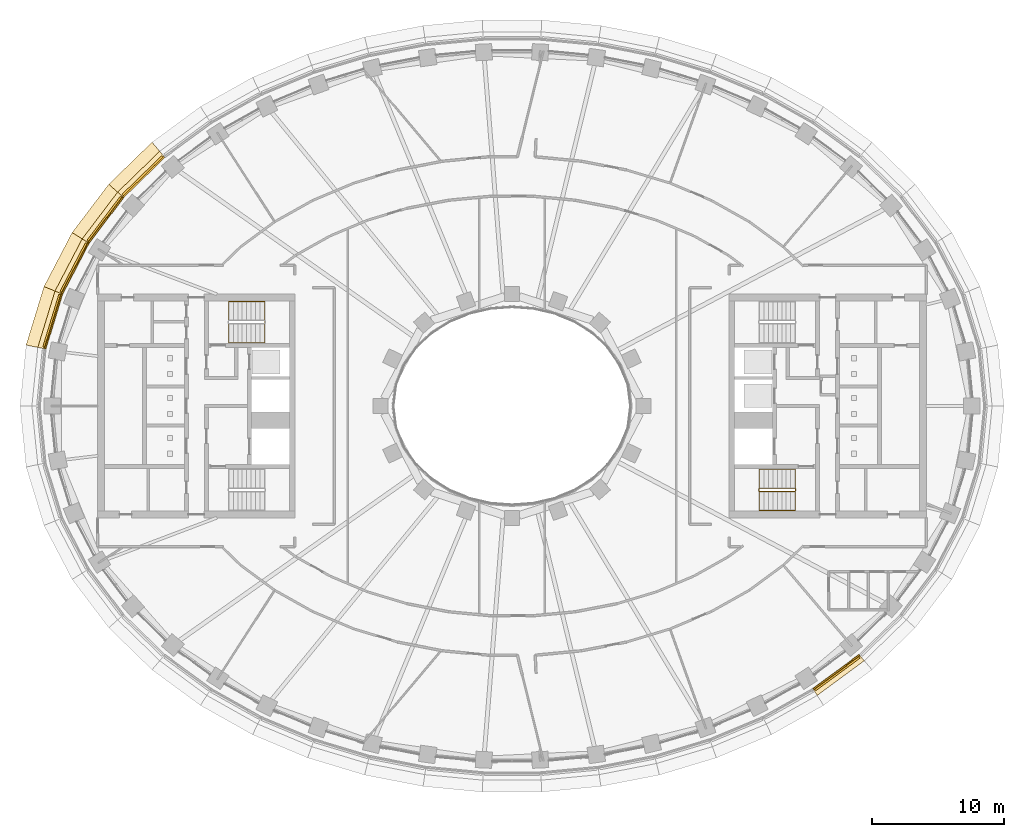
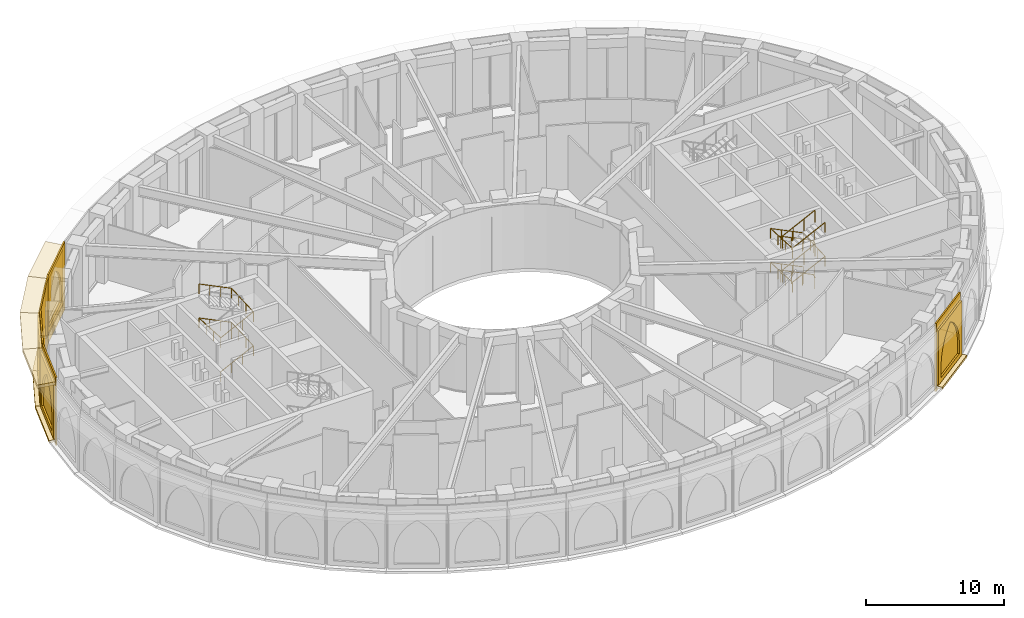
# One storey, part 19 of 23: 19 coverings, 3 railings.
"""IFC4 building model written with IfcOpenShell, lengths in metres."""

from ifc_helpers import new_model, si_unit, direction, frame, origin, origin_2d, place, context, subcontext, project, spatial, polyline, rectangle, outline, extrude, material, layer, layer_set, type_object, element, save


model = new_model("IFC4")

# Units and contexts
model_context = context("Model", 3, precision=1e-05, world=origin(), true_north=direction((0.0, 1.0)))
body_context = subcontext(model_context, "Body", "Model", "MODEL_VIEW")
ifc_project = project(units=[si_unit("LENGTHUNIT", "METRE"), si_unit("AREAUNIT", "SQUARE_METRE"), si_unit("VOLUMEUNIT", "CUBIC_METRE"), si_unit("PLANEANGLEUNIT", "RADIAN"), si_unit("MASSUNIT", "GRAM", prefix="KILO")], contexts=[model_context])

# Site, building, storey
site_placement = place(None, origin())
site = spatial("IfcSite", under=ifc_project, at=site_placement, CompositionType="ELEMENT")
building_placement = place(site_placement, origin())
building = spatial("IfcBuilding", under=site, at=building_placement, Name="Noorbagh Ring Tower", CompositionType="ELEMENT")
storey_placement = place(building_placement, frame((0.0, 0.0, 140.0)))
storey = spatial("IfcBuildingStorey", under=building, at=storey_placement, Name="L32", CompositionType="ELEMENT", Elevation=140.0)

# Railings
ifc_material_1 = material(Name="Stainless steel", Category="steel")
railing_type_1 = type_object("IfcRailingType", Name="CORE-STAIR-GUARD", PredefinedType="GUARDRAIL", material=ifc_material_1)
railing_1_placement = place(storey_placement, frame((21.580078125, -6.300048828125, 0.0)))
element("IfcRailing", 1, at=railing_1_placement, inside=storey, type_object=railing_type_1, Name="L32 ST4 stair guard", PredefinedType="GUARDRAIL", context=body_context, shape_type="SweptSolid", body=[
    extrude(rectangle(XDim=0.048095703125, YDim=0.048095703125, at=origin_2d()), frame((0.0, 0.0, 1.076171875), z_axis=(0.0, -1.0, 0.0), x_axis=(1.0, 0.0, 0.0)), (0.0, 0.0, 1.0), 0.14990234375),
    extrude(rectangle(XDim=0.048095703125, YDim=0.048095703125, at=origin_2d()), frame((0.0, -0.14990234375, 1.076171875), z_axis=(-0.188775798145, 0.754182335027, 0.628945707965), x_axis=(-0.970072785993, -0.242814311512, 0.0)), (0.0, 0.0, 1.0), 0.26513671875),
    extrude(rectangle(XDim=0.048095703125, YDim=0.048095703125, at=origin_2d()), frame((-0.050048828125, 0.050048828125, 1.24267578125), z_axis=(-0.897929466783, 0.0, 0.4401393787), x_axis=(0.0, -1.0, 0.0)), (0.0, 0.0, 1.0), 3.029052734375),
    extrude(rectangle(XDim=0.048095703125, YDim=0.048095703125, at=origin_2d()), frame((-2.77001953125, 0.050048828125, 2.576171875), z_axis=(-0.707106781187, -0.707106781187, 0.0), x_axis=(0.707106781187, -0.707106781187, 0.0)), (0.0, 0.0, 1.0), 0.07080078125),
    extrude(rectangle(XDim=0.048095703125, YDim=0.048095703125, at=origin_2d()), frame((-2.820068359375, 0.0, 2.576171875), z_axis=(0.0, -1.0, 0.0), x_axis=(1.0, 0.0, 0.0)), (0.0, 0.0, 1.0), 0.14990234375),
    extrude(rectangle(XDim=0.048095703125, YDim=0.048095703125, at=origin_2d()), frame((-2.820068359375, -0.14990234375, 2.576171875), z_axis=(0.27628659633, -0.27628659633, 0.920506074601), x_axis=(0.707106781187, 0.707106781187, 0.0)), (0.0, 0.0, 1.0), 0.18115234375),
    extrude(rectangle(XDim=0.048095703125, YDim=0.048095703125, at=origin_2d()), frame((-2.77001953125, -0.199951171875, 2.74267578125), z_axis=(0.897929466783, 0.0, 0.4401393787), x_axis=(0.0, 1.0, 0.0)), (0.0, 0.0, 1.0), 3.029052734375),
    extrude(rectangle(XDim=0.048095703125, YDim=0.048095703125, at=origin_2d()), frame((-0.050048828125, -0.199951171875, 4.076171875), z_axis=(0.242814311512, 0.970072785993, 0.0), x_axis=(-0.970072785993, 0.242814311512, 0.0)), (0.0, 0.0, 1.0), 0.2060546875),
    extrude(rectangle(XDim=0.048095703125, YDim=0.048095703125, at=origin_2d()), frame((0.0, 0.0, 4.076171875), z_axis=(0.0, -1.0, 0.0), x_axis=(1.0, 0.0, 0.0)), (0.0, 0.0, 1.0), 0.14990234375),
    extrude(rectangle(XDim=0.048095703125, YDim=0.048095703125, at=origin_2d()), frame((0.0, -0.14990234375, 4.076171875), z_axis=(-0.188775798145, 0.754182335027, 0.628945707965), x_axis=(-0.970072785993, -0.242814311512, 0.0)), (0.0, 0.0, 1.0), 0.26513671875),
    extrude(rectangle(XDim=0.048095703125, YDim=0.048095703125, at=origin_2d()), frame((-0.050048828125, 0.050048828125, 4.24267578125), z_axis=(-0.897929466783, 0.0, 0.4401393787), x_axis=(0.0, -1.0, 0.0)), (0.0, 0.0, 1.0), 3.029052734375),
    extrude(rectangle(XDim=0.048095703125, YDim=0.048095703125, at=origin_2d()), frame((-2.77001953125, 0.050048828125, 5.576171875), z_axis=(-0.707106781187, -0.707106781187, 0.0), x_axis=(0.707106781187, -0.707106781187, 0.0)), (0.0, 0.0, 1.0), 0.07080078125),
    extrude(rectangle(XDim=0.048095703125, YDim=0.048095703125, at=origin_2d()), frame((-2.820068359375, 0.0, 5.576171875), z_axis=(0.0, -1.0, 0.0), x_axis=(1.0, 0.0, 0.0)), (0.0, 0.0, 1.0), 0.14990234375),
    extrude(rectangle(XDim=0.048095703125, YDim=0.048095703125, at=origin_2d()), frame((-2.820068359375, -0.14990234375, 5.576171875), z_axis=(0.27628659633, -0.27628659633, 0.920506074601), x_axis=(0.707106781187, 0.707106781187, 0.0)), (0.0, 0.0, 1.0), 0.18115234375),
    extrude(rectangle(XDim=0.048095703125, YDim=0.048095703125, at=origin_2d()), frame((-2.77001953125, -0.199951171875, 5.74267578125), z_axis=(0.897929466783, 0.0, 0.4401393787), x_axis=(0.0, 1.0, 0.0)), (0.0, 0.0, 1.0), 3.029052734375),
    extrude(rectangle(XDim=0.0419921875, YDim=0.0419921875, at=origin_2d()), origin(), (0.0, 0.0, 1.0), 1.052001953125),
    extrude(rectangle(XDim=0.0419921875, YDim=0.0419921875, at=origin_2d()), frame((-0.956787109375, 0.050048828125, 0.611083984375)), (0.0, 0.0, 1.0), 1.052001953125),
    extrude(rectangle(XDim=0.0419921875, YDim=0.0419921875, at=origin_2d()), frame((-1.86328125, 0.050048828125, 1.0556640625)), (0.0, 0.0, 1.0), 1.052001953125),
    extrude(rectangle(XDim=0.0419921875, YDim=0.0419921875, at=origin_2d()), frame((-2.77001953125, 0.050048828125, 1.5)), (0.0, 0.0, 1.0), 1.052001953125),
    extrude(rectangle(XDim=0.0419921875, YDim=0.0419921875, at=origin_2d()), frame((-2.77001953125, -0.199951171875, 1.666748046875)), (0.0, 0.0, 1.0), 1.052001953125),
    extrude(rectangle(XDim=0.0419921875, YDim=0.0419921875, at=origin_2d()), frame((-1.86328125, -0.199951171875, 2.111083984375)), (0.0, 0.0, 1.0), 1.052001953125),
    extrude(rectangle(XDim=0.0419921875, YDim=0.0419921875, at=origin_2d()), frame((-0.956787109375, -0.199951171875, 2.5556640625)), (0.0, 0.0, 1.0), 1.052001953125),
    extrude(rectangle(XDim=0.0419921875, YDim=0.0419921875, at=origin_2d()), frame((-0.050048828125, -0.199951171875, 3.0)), (0.0, 0.0, 1.0), 1.052001953125),
    extrude(rectangle(XDim=0.0419921875, YDim=0.0419921875, at=origin_2d()), frame((-0.050048828125, 0.050048828125, 3.166748046875)), (0.0, 0.0, 1.0), 1.052001953125),
    extrude(rectangle(XDim=0.0419921875, YDim=0.0419921875, at=origin_2d()), frame((-0.956787109375, 0.050048828125, 3.611083984375)), (0.0, 0.0, 1.0), 1.052001953125),
    extrude(rectangle(XDim=0.0419921875, YDim=0.0419921875, at=origin_2d()), frame((-1.86328125, 0.050048828125, 4.0556640625)), (0.0, 0.0, 1.0), 1.052001953125),
    extrude(rectangle(XDim=0.0419921875, YDim=0.0419921875, at=origin_2d()), frame((-2.77001953125, 0.050048828125, 4.5)), (0.0, 0.0, 1.0), 1.052001953125),
    extrude(rectangle(XDim=0.0419921875, YDim=0.0419921875, at=origin_2d()), frame((-2.77001953125, -0.199951171875, 4.666748046875)), (0.0, 0.0, 1.0), 1.052001953125),
    extrude(rectangle(XDim=0.0419921875, YDim=0.0419921875, at=origin_2d()), frame((-1.86328125, -0.199951171875, 5.111083984375)), (0.0, 0.0, 1.0), 1.052001953125),
    extrude(rectangle(XDim=0.0419921875, YDim=0.0419921875, at=origin_2d()), frame((-0.956787109375, -0.199951171875, 5.5556640625)), (0.0, 0.0, 1.0), 1.052001953125),
    extrude(rectangle(XDim=0.0419921875, YDim=0.0419921875, at=origin_2d()), frame((-0.050048828125, -0.199951171875, 6.0)), (0.0, 0.0, 1.0), 1.052001953125),
])
ifc_material_2 = material(Name="Stainless steel", Category="steel")
railing_type_2 = type_object("IfcRailingType", Name="CORE-STAIR-HANDRAIL", PredefinedType="HANDRAIL", material=ifc_material_2)
railing_2_placement = place(storey_placement, frame((-21.530029296875, 4.800048828125, 0.166748046875)))
element("IfcRailing", 2, at=railing_2_placement, inside=storey, type_object=railing_type_2, Name="L32 ST1 stair handrail", PredefinedType="HANDRAIL", context=body_context, shape_type="SweptSolid", body=[
    extrude(rectangle(XDim=0.048095703125, YDim=0.048095703125, at=origin_2d()), frame((0.0, 0.0, 0.8759765625), z_axis=(0.897929466783, 0.0, 0.4401393787), x_axis=(0.0, 1.0, 0.0)), (0.0, 0.0, 1.0), 3.029052734375),
    extrude(rectangle(XDim=0.048095703125, YDim=0.048095703125, at=origin_2d()), frame((2.719970703125, 0.0, 2.208984375), z_axis=(0.0, 0.998601747152, 0.052863509014), x_axis=(-1.0, 0.0, 0.0)), (0.0, 0.0, 1.0), 3.154296875),
    extrude(rectangle(XDim=0.048095703125, YDim=0.048095703125, at=origin_2d()), frame((2.719970703125, 3.14990234375, 2.3759765625), z_axis=(-0.897929466783, 0.0, 0.4401393787), x_axis=(0.0, -1.0, 0.0)), (0.0, 0.0, 1.0), 3.029052734375),
    extrude(rectangle(XDim=0.048095703125, YDim=0.048095703125, at=origin_2d()), frame((0.0, 3.14990234375, 3.708984375), z_axis=(0.0, -0.998601747152, 0.052863509014), x_axis=(1.0, 0.0, 0.0)), (0.0, 0.0, 1.0), 3.154296875),
    extrude(rectangle(XDim=0.048095703125, YDim=0.048095703125, at=origin_2d()), frame((0.0, 0.0, 3.8759765625), z_axis=(0.897929466783, 0.0, 0.4401393787), x_axis=(0.0, 1.0, 0.0)), (0.0, 0.0, 1.0), 3.029052734375),
    extrude(rectangle(XDim=0.048095703125, YDim=0.048095703125, at=origin_2d()), frame((2.719970703125, 0.0, 5.208984375), z_axis=(0.0, 0.998601747152, 0.052863509014), x_axis=(-1.0, 0.0, 0.0)), (0.0, 0.0, 1.0), 3.154296875),
    extrude(rectangle(XDim=0.048095703125, YDim=0.048095703125, at=origin_2d()), frame((2.719970703125, 3.14990234375, 5.3759765625), z_axis=(-0.897929466783, 0.0, 0.4401393787), x_axis=(0.0, -1.0, 0.0)), (0.0, 0.0, 1.0), 3.029052734375),
    extrude(rectangle(XDim=0.0419921875, YDim=0.0419921875, at=origin_2d()), origin(), (0.0, 0.0, 1.0), 0.851806640625),
    extrude(rectangle(XDim=0.0419921875, YDim=0.0419921875, at=origin_2d()), frame((0.90673828125, 0.0, 0.4443359375)), (0.0, 0.0, 1.0), 0.851806640625),
    extrude(rectangle(XDim=0.0419921875, YDim=0.0419921875, at=origin_2d()), frame((1.813232421875, 0.0, 0.888916015625)), (0.0, 0.0, 1.0), 0.851806640625),
    extrude(rectangle(XDim=0.0419921875, YDim=0.0419921875, at=origin_2d()), frame((2.719970703125, 0.0, 1.333251953125)), (0.0, 0.0, 1.0), 0.851806640625),
    extrude(rectangle(XDim=0.0419921875, YDim=0.0419921875, at=origin_2d()), frame((2.719970703125, 1.050048828125, 1.388916015625)), (0.0, 0.0, 1.0), 0.851806640625),
    extrude(rectangle(XDim=0.0419921875, YDim=0.0419921875, at=origin_2d()), frame((2.719970703125, 2.099853515625, 1.4443359375)), (0.0, 0.0, 1.0), 0.851806640625),
    extrude(rectangle(XDim=0.0419921875, YDim=0.0419921875, at=origin_2d()), frame((2.719970703125, 3.14990234375, 1.5)), (0.0, 0.0, 1.0), 0.851806640625),
    extrude(rectangle(XDim=0.0419921875, YDim=0.0419921875, at=origin_2d()), frame((1.813232421875, 3.14990234375, 1.9443359375)), (0.0, 0.0, 1.0), 0.851806640625),
    extrude(rectangle(XDim=0.0419921875, YDim=0.0419921875, at=origin_2d()), frame((0.90673828125, 3.14990234375, 2.388916015625)), (0.0, 0.0, 1.0), 0.851806640625),
    extrude(rectangle(XDim=0.0419921875, YDim=0.0419921875, at=origin_2d()), frame((0.0, 3.14990234375, 2.833251953125)), (0.0, 0.0, 1.0), 0.851806640625),
    extrude(rectangle(XDim=0.0419921875, YDim=0.0419921875, at=origin_2d()), frame((0.0, 2.099853515625, 2.888916015625)), (0.0, 0.0, 1.0), 0.851806640625),
    extrude(rectangle(XDim=0.0419921875, YDim=0.0419921875, at=origin_2d()), frame((0.0, 1.050048828125, 2.9443359375)), (0.0, 0.0, 1.0), 0.851806640625),
    extrude(rectangle(XDim=0.0419921875, YDim=0.0419921875, at=origin_2d()), frame((0.0, 0.0, 3.0)), (0.0, 0.0, 1.0), 0.851806640625),
    extrude(rectangle(XDim=0.0419921875, YDim=0.0419921875, at=origin_2d()), frame((0.90673828125, 0.0, 3.4443359375)), (0.0, 0.0, 1.0), 0.851806640625),
    extrude(rectangle(XDim=0.0419921875, YDim=0.0419921875, at=origin_2d()), frame((1.813232421875, 0.0, 3.888916015625)), (0.0, 0.0, 1.0), 0.851806640625),
    extrude(rectangle(XDim=0.0419921875, YDim=0.0419921875, at=origin_2d()), frame((2.719970703125, 0.0, 4.333251953125)), (0.0, 0.0, 1.0), 0.851806640625),
    extrude(rectangle(XDim=0.0419921875, YDim=0.0419921875, at=origin_2d()), frame((2.719970703125, 1.050048828125, 4.388916015625)), (0.0, 0.0, 1.0), 0.851806640625),
    extrude(rectangle(XDim=0.0419921875, YDim=0.0419921875, at=origin_2d()), frame((2.719970703125, 2.099853515625, 4.4443359375)), (0.0, 0.0, 1.0), 0.851806640625),
    extrude(rectangle(XDim=0.0419921875, YDim=0.0419921875, at=origin_2d()), frame((2.719970703125, 3.14990234375, 4.5)), (0.0, 0.0, 1.0), 0.851806640625),
    extrude(rectangle(XDim=0.0419921875, YDim=0.0419921875, at=origin_2d()), frame((1.813232421875, 3.14990234375, 4.9443359375)), (0.0, 0.0, 1.0), 0.851806640625),
    extrude(rectangle(XDim=0.0419921875, YDim=0.0419921875, at=origin_2d()), frame((0.90673828125, 3.14990234375, 5.388916015625)), (0.0, 0.0, 1.0), 0.851806640625),
    extrude(rectangle(XDim=0.0419921875, YDim=0.0419921875, at=origin_2d()), frame((0.0, 3.14990234375, 5.833251953125)), (0.0, 0.0, 1.0), 0.851806640625),
])
railing_3_placement = place(storey_placement, frame((21.530029296875, -4.800048828125, 0.166748046875)))
element("IfcRailing", 3, at=railing_3_placement, inside=storey, type_object=railing_type_2, Name="L32 ST4 stair handrail", PredefinedType="HANDRAIL", context=body_context, shape_type="SweptSolid", body=[
    extrude(rectangle(XDim=0.048095703125, YDim=0.048095703125, at=origin_2d()), frame((0.0, 0.0, 0.8759765625), z_axis=(-0.897929466783, 0.0, 0.4401393787), x_axis=(0.0, -1.0, 0.0)), (0.0, 0.0, 1.0), 3.029052734375),
    extrude(rectangle(XDim=0.048095703125, YDim=0.048095703125, at=origin_2d()), frame((-2.719970703125, 0.0, 2.208984375), z_axis=(0.0, -0.998601747152, 0.052863509014), x_axis=(1.0, 0.0, 0.0)), (0.0, 0.0, 1.0), 3.154296875),
    extrude(rectangle(XDim=0.048095703125, YDim=0.048095703125, at=origin_2d()), frame((-2.719970703125, -3.14990234375, 2.3759765625), z_axis=(0.897929466783, 0.0, 0.4401393787), x_axis=(0.0, 1.0, 0.0)), (0.0, 0.0, 1.0), 3.029052734375),
    extrude(rectangle(XDim=0.048095703125, YDim=0.048095703125, at=origin_2d()), frame((0.0, -3.14990234375, 3.708984375), z_axis=(0.0, 0.998601747152, 0.052863509014), x_axis=(-1.0, 0.0, 0.0)), (0.0, 0.0, 1.0), 3.154296875),
    extrude(rectangle(XDim=0.048095703125, YDim=0.048095703125, at=origin_2d()), frame((0.0, 0.0, 3.8759765625), z_axis=(-0.897929466783, 0.0, 0.4401393787), x_axis=(0.0, -1.0, 0.0)), (0.0, 0.0, 1.0), 3.029052734375),
    extrude(rectangle(XDim=0.048095703125, YDim=0.048095703125, at=origin_2d()), frame((-2.719970703125, 0.0, 5.208984375), z_axis=(0.0, -0.998601747152, 0.052863509014), x_axis=(1.0, 0.0, 0.0)), (0.0, 0.0, 1.0), 3.154296875),
    extrude(rectangle(XDim=0.048095703125, YDim=0.048095703125, at=origin_2d()), frame((-2.719970703125, -3.14990234375, 5.3759765625), z_axis=(0.897929466783, 0.0, 0.4401393787), x_axis=(0.0, 1.0, 0.0)), (0.0, 0.0, 1.0), 3.029052734375),
    extrude(rectangle(XDim=0.0419921875, YDim=0.0419921875, at=origin_2d()), origin(), (0.0, 0.0, 1.0), 0.851806640625),
    extrude(rectangle(XDim=0.0419921875, YDim=0.0419921875, at=origin_2d()), frame((-0.90673828125, 0.0, 0.4443359375)), (0.0, 0.0, 1.0), 0.851806640625),
    extrude(rectangle(XDim=0.0419921875, YDim=0.0419921875, at=origin_2d()), frame((-1.813232421875, 0.0, 0.888916015625)), (0.0, 0.0, 1.0), 0.851806640625),
    extrude(rectangle(XDim=0.0419921875, YDim=0.0419921875, at=origin_2d()), frame((-2.719970703125, 0.0, 1.333251953125)), (0.0, 0.0, 1.0), 0.851806640625),
    extrude(rectangle(XDim=0.0419921875, YDim=0.0419921875, at=origin_2d()), frame((-2.719970703125, -1.050048828125, 1.388916015625)), (0.0, 0.0, 1.0), 0.851806640625),
    extrude(rectangle(XDim=0.0419921875, YDim=0.0419921875, at=origin_2d()), frame((-2.719970703125, -2.099853515625, 1.4443359375)), (0.0, 0.0, 1.0), 0.851806640625),
    extrude(rectangle(XDim=0.0419921875, YDim=0.0419921875, at=origin_2d()), frame((-2.719970703125, -3.14990234375, 1.5)), (0.0, 0.0, 1.0), 0.851806640625),
    extrude(rectangle(XDim=0.0419921875, YDim=0.0419921875, at=origin_2d()), frame((-1.813232421875, -3.14990234375, 1.9443359375)), (0.0, 0.0, 1.0), 0.851806640625),
    extrude(rectangle(XDim=0.0419921875, YDim=0.0419921875, at=origin_2d()), frame((-0.90673828125, -3.14990234375, 2.388916015625)), (0.0, 0.0, 1.0), 0.851806640625),
    extrude(rectangle(XDim=0.0419921875, YDim=0.0419921875, at=origin_2d()), frame((0.0, -3.14990234375, 2.833251953125)), (0.0, 0.0, 1.0), 0.851806640625),
    extrude(rectangle(XDim=0.0419921875, YDim=0.0419921875, at=origin_2d()), frame((0.0, -2.099853515625, 2.888916015625)), (0.0, 0.0, 1.0), 0.851806640625),
    extrude(rectangle(XDim=0.0419921875, YDim=0.0419921875, at=origin_2d()), frame((0.0, -1.050048828125, 2.9443359375)), (0.0, 0.0, 1.0), 0.851806640625),
    extrude(rectangle(XDim=0.0419921875, YDim=0.0419921875, at=origin_2d()), frame((0.0, 0.0, 3.0)), (0.0, 0.0, 1.0), 0.851806640625),
    extrude(rectangle(XDim=0.0419921875, YDim=0.0419921875, at=origin_2d()), frame((-0.90673828125, 0.0, 3.4443359375)), (0.0, 0.0, 1.0), 0.851806640625),
    extrude(rectangle(XDim=0.0419921875, YDim=0.0419921875, at=origin_2d()), frame((-1.813232421875, 0.0, 3.888916015625)), (0.0, 0.0, 1.0), 0.851806640625),
    extrude(rectangle(XDim=0.0419921875, YDim=0.0419921875, at=origin_2d()), frame((-2.719970703125, 0.0, 4.333251953125)), (0.0, 0.0, 1.0), 0.851806640625),
    extrude(rectangle(XDim=0.0419921875, YDim=0.0419921875, at=origin_2d()), frame((-2.719970703125, -1.050048828125, 4.388916015625)), (0.0, 0.0, 1.0), 0.851806640625),
    extrude(rectangle(XDim=0.0419921875, YDim=0.0419921875, at=origin_2d()), frame((-2.719970703125, -2.099853515625, 4.4443359375)), (0.0, 0.0, 1.0), 0.851806640625),
    extrude(rectangle(XDim=0.0419921875, YDim=0.0419921875, at=origin_2d()), frame((-2.719970703125, -3.14990234375, 4.5)), (0.0, 0.0, 1.0), 0.851806640625),
    extrude(rectangle(XDim=0.0419921875, YDim=0.0419921875, at=origin_2d()), frame((-1.813232421875, -3.14990234375, 4.9443359375)), (0.0, 0.0, 1.0), 0.851806640625),
    extrude(rectangle(XDim=0.0419921875, YDim=0.0419921875, at=origin_2d()), frame((-0.90673828125, -3.14990234375, 5.388916015625)), (0.0, 0.0, 1.0), 0.851806640625),
    extrude(rectangle(XDim=0.0419921875, YDim=0.0419921875, at=origin_2d()), frame((0.0, -3.14990234375, 5.833251953125)), (0.0, 0.0, 1.0), 0.851806640625),
])

# Coverings
ifc_material_3 = material(Name="Aluminium 6063-T6 black anodised", Category="aluminium")
ifc_layer_1 = layer(ifc_material_3, 0.1201171875)
ifc_layer_set_1 = layer_set([ifc_layer_1], Name="Aluminium 6063-T6 black anodised")
covering_type_1 = type_object("IfcCoveringType", Name="ENV-LOUVRE-BAND", PredefinedType="CLADDING", material=ifc_layer_set_1)
covering_1_placement = place(storey_placement, frame((-27.993408203125, 17.41259765625, -0.300048828125), z_axis=(0.0, 0.0, 1.0), x_axis=(-0.717224548362, -0.696842125038, 0.0)))
element("IfcCovering", 4, at=covering_1_placement, inside=storey, type_object=covering_type_1, Name="Louvre screen chord 19", ObjectType="LOUVRE", PredefinedType="CLADDING", context=body_context, shape_type="SweptSolid", body=[
    extrude(rectangle(XDim=4.347900390625, YDim=0.1201171875, at=origin_2d()), origin(), (0.0, 0.0, 1.0), 6.0),
])
covering_2_placement = place(storey_placement, frame((-30.883544921875, 14.145263671875, -0.300048828125), z_axis=(0.0, 0.0, 1.0), x_axis=(-0.604020184358, -0.796969018776, 0.0)))
element("IfcCovering", 5, at=covering_2_placement, inside=storey, type_object=covering_type_1, Name="Louvre screen chord 20", ObjectType="LOUVRE", PredefinedType="CLADDING", context=body_context, shape_type="SweptSolid", body=[
    extrude(rectangle(XDim=4.346923828125, YDim=0.1201171875, at=origin_2d()), origin(), (0.0, 0.0, 1.0), 6.0),
])
covering_3_placement = place(storey_placement, frame((-33.21484375, 10.464111328125, -0.300048828125), z_axis=(0.0, 0.0, 1.0), x_axis=(-0.462278064231, -0.88673501754, 0.0)))
element("IfcCovering", 6, at=covering_3_placement, inside=storey, type_object=covering_type_1, Name="Louvre screen chord 21", ObjectType="LOUVRE", PredefinedType="CLADDING", context=body_context, shape_type="SweptSolid", body=[
    extrude(rectangle(XDim=4.345947265625, YDim=0.1201171875, at=origin_2d()), origin(), (0.0, 0.0, 1.0), 6.0),
])
covering_4_placement = place(storey_placement, frame((-34.86376953125, 6.436279296875, -0.300048828125), z_axis=(0.0, 0.0, 1.0), x_axis=(-0.292170066961, -0.95636637957, 0.0)))
element("IfcCovering", 7, at=covering_4_placement, inside=storey, type_object=covering_type_1, Name="Louvre screen chord 22", ObjectType="LOUVRE", PredefinedType="CLADDING", context=body_context, shape_type="SweptSolid", body=[
    extrude(rectangle(XDim=4.344970703125, YDim=0.1201171875, at=origin_2d()), origin(), (0.0, 0.0, 1.0), 6.0),
])
covering_5_placement = place(storey_placement, frame((24.662109375, -20.2353515625, -0.300048828125), z_axis=(0.0, 0.0, 1.0), x_axis=(0.805153045326, 0.593067090304, 0.0)))
element("IfcCovering", 8, at=covering_5_placement, inside=storey, type_object=covering_type_1, Name="Louvre screen chord 41", ObjectType="LOUVRE", PredefinedType="CLADDING", context=body_context, shape_type="SweptSolid", body=[
    extrude(rectangle(XDim=4.3486328125, YDim=0.1201171875, at=origin_2d()), origin(), (0.0, 0.0, 1.0), 6.0),
])
ifc_material_4 = material(Name="Red sandstone cladding", Category="masonry")
ifc_layer_2 = layer(ifc_material_4, 0.14990234375)
ifc_layer_set_2 = layer_set([ifc_layer_2], Name="Red sandstone cladding")
covering_type_2 = type_object("IfcCoveringType", Name="STYLE-BAND-ARCADE", PredefinedType="USERDEFINED", material=ifc_layer_set_2)
covering_6_placement = place(storey_placement, frame((-26.639404296875, 19.021240234375, 0.25), z_axis=(-0.696851724238, 0.717215221831, 0.0), x_axis=(-0.717215221831, -0.696851724238, 0.0)))
element("IfcCovering", 9, at=covering_6_placement, inside=storey, type_object=covering_type_2, Name="Blind arch bay of the band", ObjectType="ARCH", PredefinedType="USERDEFINED", context=body_context, shape_type="SweptSolid", body=[
    extrude(outline(polyline([(0.0, 0.0), (4.184326171875, 0.0), (4.184326171875, 4.800048828125), (0.0, 4.800048828125), (0.0, 0.0)]), holes=[polyline([(0.449951171875, 0.39990234375), (0.449951171875, 1.40576171875), (0.47802734375, 1.83447265625), (0.56201171875, 2.255859375), (0.699951171875, 2.66259765625), (0.889892578125, 3.048095703125), (1.128662109375, 3.4052734375), (1.411865234375, 3.728271484375), (1.73486328125, 4.011474609375), (2.092041015625, 4.25), (2.44921875, 4.011474609375), (2.772216796875, 3.728271484375), (3.0556640625, 3.4052734375), (3.294189453125, 3.048095703125), (3.484130859375, 2.66259765625), (3.622314453125, 2.255859375), (3.706298828125, 1.83447265625), (3.734130859375, 1.40576171875), (3.734130859375, 0.39990234375), (0.449951171875, 0.39990234375)])]), origin(), (0.0, 0.0, -1.0), 0.14990234375),
])
covering_7_placement = place(storey_placement, frame((-29.78759765625, 15.939208984375, 0.25), z_axis=(-0.796985737541, 0.603998124299, 0.0), x_axis=(-0.603998124299, -0.796985737541, 0.0)))
element("IfcCovering", 10, at=covering_7_placement, inside=storey, type_object=covering_type_2, Name="Blind arch bay of the band", ObjectType="ARCH", PredefinedType="USERDEFINED", context=body_context, shape_type="SweptSolid", body=[
    extrude(outline(polyline([(0.0, 0.0), (4.18359375, 0.0), (4.18359375, 4.800048828125), (0.0, 4.800048828125), (0.0, 0.0)]), holes=[polyline([(0.449951171875, 0.39990234375), (0.449951171875, 1.406494140625), (0.47802734375, 1.835205078125), (0.56201171875, 2.25634765625), (0.699951171875, 2.6630859375), (0.889892578125, 3.04833984375), (1.12841796875, 3.405517578125), (1.41162109375, 3.728271484375), (1.734619140625, 4.011474609375), (2.091796875, 4.25), (2.44873046875, 4.011474609375), (2.771728515625, 3.728271484375), (3.054931640625, 3.405517578125), (3.29345703125, 3.04833984375), (3.4833984375, 2.6630859375), (3.62158203125, 2.25634765625), (3.705322265625, 1.835205078125), (3.7333984375, 1.406494140625), (3.7333984375, 0.39990234375), (0.449951171875, 0.39990234375)])]), origin(), (0.0, 0.0, -1.0), 0.14990234375),
])
covering_8_placement = place(storey_placement, frame((-32.434326171875, 12.415283203125, 0.25), z_axis=(-0.886709716342, 0.462326593379, 0.0), x_axis=(-0.462326593379, -0.886709716342, 0.0)))
element("IfcCovering", 11, at=covering_8_placement, inside=storey, type_object=covering_type_2, Name="Blind arch bay of the band", ObjectType="ARCH", PredefinedType="USERDEFINED", context=body_context, shape_type="SweptSolid", body=[
    extrude(outline(polyline([(0.0, 0.0), (4.182373046875, 0.0), (4.182373046875, 4.800048828125), (0.0, 4.800048828125), (0.0, 0.0)]), holes=[polyline([(0.449951171875, 0.39990234375), (0.449951171875, 1.407470703125), (0.47802734375, 1.8359375), (0.561767578125, 2.257080078125), (0.699951171875, 2.66357421875), (0.8896484375, 3.048583984375), (1.12841796875, 3.40576171875), (1.411376953125, 3.728515625), (1.734130859375, 4.01171875), (2.09130859375, 4.25), (2.447998046875, 4.01171875), (2.77099609375, 3.728515625), (3.053955078125, 3.40576171875), (3.29248046875, 3.048583984375), (3.482421875, 2.66357421875), (3.62060546875, 2.257080078125), (3.7041015625, 1.8359375), (3.732421875, 1.407470703125), (3.732421875, 0.39990234375), (0.449951171875, 0.39990234375)])]), origin(), (0.0, 0.0, -1.0), 0.14990234375),
])
covering_9_placement = place(storey_placement, frame((-34.45361328125, 8.4970703125, 0.25), z_axis=(-0.956367886414, 0.292165134531, 0.0), x_axis=(-0.292165134531, -0.956367886414, 0.0)))
element("IfcCovering", 12, at=covering_9_placement, inside=storey, type_object=covering_type_2, Name="Blind arch bay of the band", ObjectType="ARCH", PredefinedType="USERDEFINED", context=body_context, shape_type="SweptSolid", body=[
    extrude(outline(polyline([(0.0, 0.0), (4.181396484375, 0.0), (4.181396484375, 4.800048828125), (0.0, 4.800048828125), (0.0, 0.0)]), holes=[polyline([(0.449951171875, 0.39990234375), (0.449951171875, 1.408447265625), (0.47802734375, 1.836669921875), (0.561767578125, 2.257568359375), (0.69970703125, 2.6640625), (0.8896484375, 3.049072265625), (1.128173828125, 3.406005859375), (1.4111328125, 3.728515625), (1.73388671875, 4.01171875), (2.0908203125, 4.25), (2.447509765625, 4.01171875), (2.770263671875, 3.728515625), (3.05322265625, 3.406005859375), (3.291748046875, 3.049072265625), (3.4814453125, 2.6640625), (3.619384765625, 2.257568359375), (3.703125, 1.836669921875), (3.731201171875, 1.408447265625), (3.731201171875, 0.39990234375), (0.449951171875, 0.39990234375)])]), origin(), (0.0, 0.0, -1.0), 0.14990234375),
])
covering_10_placement = place(storey_placement, frame((23.10205078125, -21.645263671875, 0.25), z_axis=(0.593079629262, -0.805143809114, 0.0), x_axis=(0.805143809114, 0.593079629262, 0.0)))
element("IfcCovering", 13, at=covering_10_placement, inside=storey, type_object=covering_type_2, Name="Blind arch bay of the band", ObjectType="ARCH", PredefinedType="USERDEFINED", context=body_context, shape_type="SweptSolid", body=[
    extrude(outline(polyline([(0.0, 0.0), (4.184814453125, 0.0), (4.184814453125, 4.800048828125), (0.0, 4.800048828125), (0.0, 0.0)]), holes=[polyline([(0.449951171875, 0.39990234375), (0.449951171875, 1.4052734375), (0.47802734375, 1.833984375), (0.56201171875, 2.25537109375), (0.7001953125, 2.662353515625), (0.89013671875, 3.047607421875), (1.12890625, 3.405029296875), (1.412109375, 3.72802734375), (1.735107421875, 4.011474609375), (2.092529296875, 4.25), (2.44970703125, 4.011474609375), (2.772705078125, 3.72802734375), (3.05615234375, 3.405029296875), (3.294921875, 3.047607421875), (3.48486328125, 2.662353515625), (3.623046875, 2.25537109375), (3.706787109375, 1.833984375), (3.73486328125, 1.4052734375), (3.73486328125, 0.39990234375), (0.449951171875, 0.39990234375)])]), origin(), (0.0, 0.0, -1.0), 0.14990234375),
])
ifc_material_5 = material(Name="Red sandstone eave", Category="masonry")
covering_type_3 = type_object("IfcCoveringType", Name="STYLE-BAND-EAVE", PredefinedType="USERDEFINED", material=ifc_material_5)
covering_11_placement = place(storey_placement, frame((0.0, 0.0, 5.050048828125)))
element("IfcCovering", 14, at=covering_11_placement, inside=storey, type_object=covering_type_3, Name="Chhajja eave", ObjectType="CHHAJJA", PredefinedType="USERDEFINED", context=body_context, shape_type="SweptSolid", body=[
    extrude(outline(polyline([(-26.463134765625, 18.9833984375), (-29.607666015625, 15.927978515625), (-30.6591796875, 16.8583984375), (-27.3701171875, 20.053955078125), (-26.463134765625, 18.9833984375)])), origin(), (0.0, 0.0, 1.0), 0.300048828125),
])
covering_12_placement = place(storey_placement, frame((0.0, 0.0, 5.050048828125)))
element("IfcCovering", 15, at=covering_12_placement, inside=storey, type_object=covering_type_3, Name="Chhajja eave", ObjectType="CHHAJJA", PredefinedType="USERDEFINED", context=body_context, shape_type="SweptSolid", body=[
    extrude(outline(polyline([(-29.607666015625, 15.927978515625), (-32.255126953125, 12.434814453125), (-33.442138671875, 13.186279296875), (-30.6591796875, 16.8583984375), (-29.607666015625, 15.927978515625)])), origin(), (0.0, 0.0, 1.0), 0.300048828125),
])
covering_13_placement = place(storey_placement, frame((0.0, 0.0, 5.050048828125)))
element("IfcCovering", 16, at=covering_13_placement, inside=storey, type_object=covering_type_3, Name="Chhajja eave", ObjectType="CHHAJJA", PredefinedType="USERDEFINED", context=body_context, shape_type="SweptSolid", body=[
    extrude(outline(polyline([(-32.255126953125, 12.434814453125), (-34.281005859375, 8.548828125), (-35.582275390625, 9.081298828125), (-33.442138671875, 13.186279296875), (-32.255126953125, 12.434814453125)])), origin(), (0.0, 0.0, 1.0), 0.300048828125),
])
covering_14_placement = place(storey_placement, frame((0.0, 0.0, 5.050048828125)))
element("IfcCovering", 17, at=covering_14_placement, inside=storey, type_object=covering_type_3, Name="Chhajja eave", ObjectType="CHHAJJA", PredefinedType="USERDEFINED", context=body_context, shape_type="SweptSolid", body=[
    extrude(outline(polyline([(-34.281005859375, 8.548828125), (-35.561279296875, 4.358642578125), (-36.940185546875, 4.635986328125), (-35.582275390625, 9.081298828125), (-34.281005859375, 8.548828125)])), origin(), (0.0, 0.0, 1.0), 0.300048828125),
])
ifc_material_6 = material(Name="Red sandstone eave", Category="masonry")
covering_type_4 = type_object("IfcCoveringType", Name="STYLE-BAND-SILL", PredefinedType="USERDEFINED", material=ifc_material_6)
covering_15_placement = place(storey_placement, frame((0.0, 0.0, 0.050048828125)))
element("IfcCovering", 18, at=covering_15_placement, inside=storey, type_object=covering_type_4, Name="Sill ledge", ObjectType="CHHAJJA", PredefinedType="USERDEFINED", context=body_context, shape_type="SweptSolid", body=[
    extrude(outline(polyline([(-26.463134765625, 18.9833984375), (-29.607666015625, 15.927978515625), (-29.983154296875, 16.260498046875), (-26.787109375, 19.365478515625), (-26.463134765625, 18.9833984375)])), origin(), (0.0, 0.0, 1.0), 0.199951171875),
])
covering_16_placement = place(storey_placement, frame((0.0, 0.0, 0.050048828125)))
element("IfcCovering", 19, at=covering_16_placement, inside=storey, type_object=covering_type_4, Name="Sill ledge", ObjectType="CHHAJJA", PredefinedType="USERDEFINED", context=body_context, shape_type="SweptSolid", body=[
    extrude(outline(polyline([(-29.607666015625, 15.927978515625), (-32.255126953125, 12.434814453125), (-32.67919921875, 12.703125), (-29.983154296875, 16.260498046875), (-29.607666015625, 15.927978515625)])), origin(), (0.0, 0.0, 1.0), 0.199951171875),
])
covering_17_placement = place(storey_placement, frame((0.0, 0.0, 0.050048828125)))
element("IfcCovering", 20, at=covering_17_placement, inside=storey, type_object=covering_type_4, Name="Sill ledge", ObjectType="CHHAJJA", PredefinedType="USERDEFINED", context=body_context, shape_type="SweptSolid", body=[
    extrude(outline(polyline([(-32.255126953125, 12.434814453125), (-34.281005859375, 8.548828125), (-34.745849609375, 8.739013671875), (-32.67919921875, 12.703125), (-32.255126953125, 12.434814453125)])), origin(), (0.0, 0.0, 1.0), 0.199951171875),
])
covering_18_placement = place(storey_placement, frame((0.0, 0.0, 0.050048828125)))
element("IfcCovering", 21, at=covering_18_placement, inside=storey, type_object=covering_type_4, Name="Sill ledge", ObjectType="CHHAJJA", PredefinedType="USERDEFINED", context=body_context, shape_type="SweptSolid", body=[
    extrude(outline(polyline([(-34.281005859375, 8.548828125), (-35.561279296875, 4.358642578125), (-36.0537109375, 4.457763671875), (-34.745849609375, 8.739013671875), (-34.281005859375, 8.548828125)])), origin(), (0.0, 0.0, 1.0), 0.199951171875),
])
covering_19_placement = place(storey_placement, frame((0.0, 0.0, 0.050048828125)))
element("IfcCovering", 22, at=covering_19_placement, inside=storey, type_object=covering_type_4, Name="Sill ledge", ObjectType="CHHAJJA", PredefinedType="USERDEFINED", context=body_context, shape_type="SweptSolid", body=[
    extrude(outline(polyline([(22.9326171875, -21.583740234375), (26.463134765625, -18.9833984375), (26.787109375, -19.365478515625), (23.2041015625, -22.004638671875), (22.9326171875, -21.583740234375)])), origin(), (0.0, 0.0, 1.0), 0.199951171875),
])

save(model, "model.ifc")
